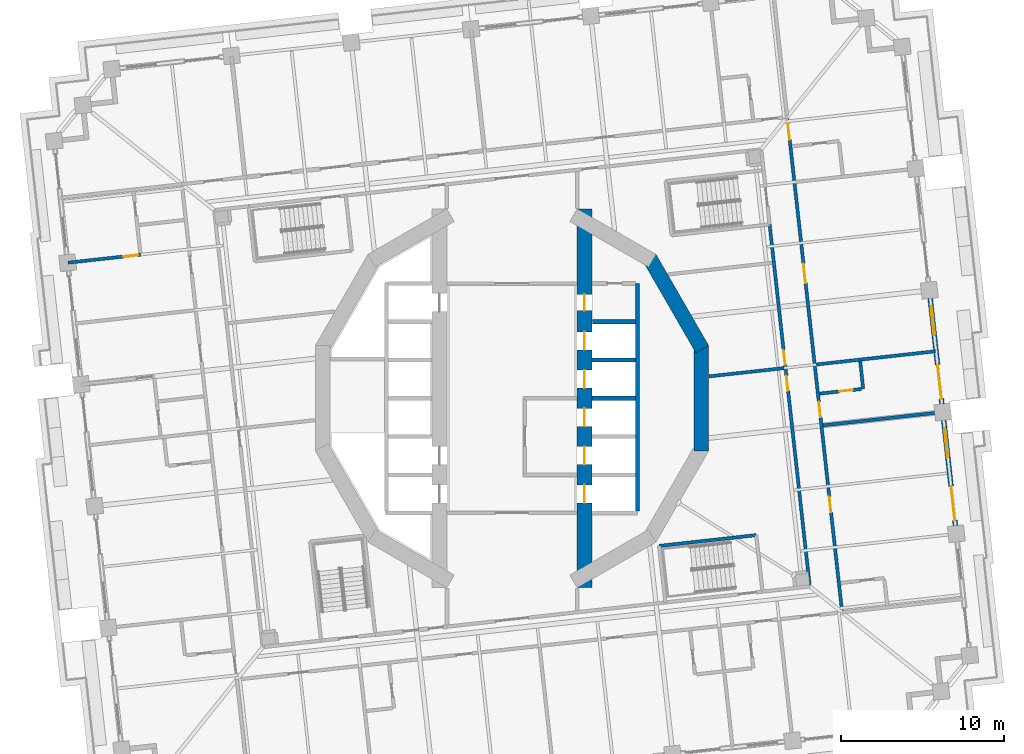
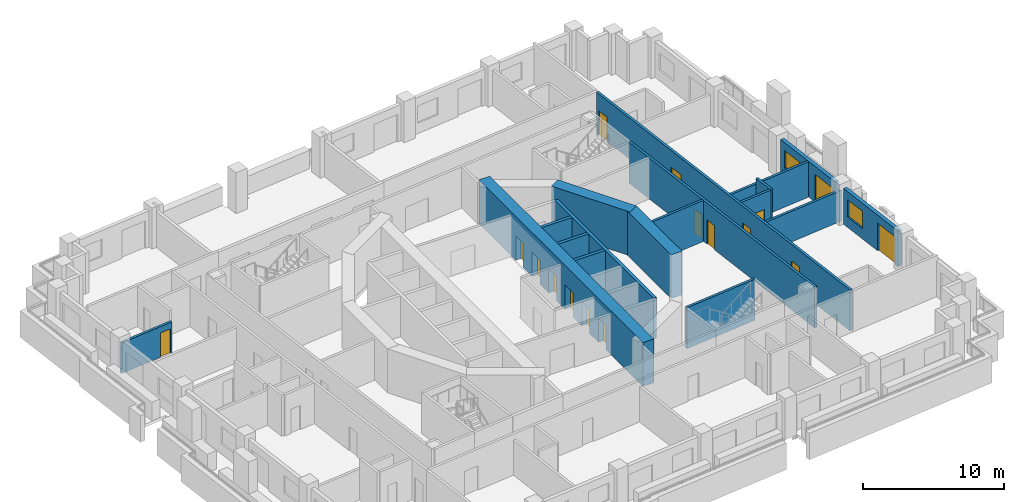
# One storey, part 7 of 19: 18 walls, 16 doors, 2 windows, 18 openings.
"""IFC4 building model written with IfcOpenShell, lengths in metres."""

from ifc_helpers import new_model, si_unit, direction, frame, frame_2d, origin, place, context, subcontext, project, spatial, rectangle, extrude, material, layer, layer_set, type_object, element, fill, save


model = new_model("IFC4")

# Units and contexts
model_context = context("Model", 3, precision=1e-05, world=origin(), true_north=direction((0.0, 1.0)))
body_context = subcontext(model_context, "Body", "Model", "MODEL_VIEW")
ifc_project = project(units=[si_unit("LENGTHUNIT", "METRE"), si_unit("AREAUNIT", "SQUARE_METRE"), si_unit("VOLUMEUNIT", "CUBIC_METRE"), si_unit("PLANEANGLEUNIT", "RADIAN"), si_unit("MASSUNIT", "GRAM", prefix="KILO")], contexts=[model_context])

# Site, building, storey
site_placement = place(None, origin())
site = spatial("IfcSite", under=ifc_project, at=site_placement, CompositionType="ELEMENT")
building_placement = place(site_placement, origin())
building = spatial("IfcBuilding", under=site, at=building_placement, Name="Cantera Rosa Tower", CompositionType="ELEMENT")
storey_placement = place(building_placement, frame((0.0, 0.0, 53.89990234375)))
storey = spatial("IfcBuildingStorey", under=building, at=storey_placement, Name="L10", CompositionType="ELEMENT", Elevation=53.89990234375)

# Wall, openings, doors
ifc_material_1 = material(Name="Gypsum board partition")
ifc_layer_1 = layer(ifc_material_1, 0.199951171875)
ifc_layer_set_1 = layer_set([ifc_layer_1], Name="CORRIDOR WALL 200 H3550")
wall_type_1 = type_object("IfcWallType", Name="CORRIDOR WALL 200 H3550", PredefinedType="PARTITIONING", material=ifc_layer_set_1)
wall_1_placement = place(storey_placement, frame((18.27490234375, -11.453857421875, 0.0), z_axis=(0.0, 0.0, 1.0), x_axis=(-0.110303935969, 0.993897903061, 0.0)))
wall_1 = element("IfcWall", 1, at=wall_1_placement, inside=storey, type_object=wall_type_1, Name="CORRIDOR WALL L10-099", PredefinedType="PARTITIONING", context=body_context, shape_type="SweptSolid", body=[
    extrude(rectangle(XDim=22.26171875, YDim=0.199951171875, at=frame_2d((11.130859375, 0.0))), origin(), (0.0, 0.0, 1.0), 3.550048828125),
])
opening_1_placement = place(wall_1_placement, frame((13.60009765625, 0.0, 0.0)))
opening_1 = element("IfcOpeningElement", 2, at=opening_1_placement, cuts=wall_1, Name="Opening L10-005", PredefinedType="OPENING", context=body_context, shape_type="SweptSolid", body=[
    extrude(rectangle(XDim=0.89990234375, YDim=2.10009765625, at=frame_2d((0.449951171875, 1.050048828125))), frame((0.0, 0.10986328125, 0.0), z_axis=(0.0, -1.0, 0.0), x_axis=(1.0, 0.0, 0.0)), (0.0, 0.0, 1.0), 0.219970703125),
])
opening_2_placement = place(wall_1_placement, frame((12.0048828125, 0.0, 0.0)))
opening_2 = element("IfcOpeningElement", 3, at=opening_2_placement, cuts=wall_1, Name="Opening L10-011", PredefinedType="OPENING", context=body_context, shape_type="SweptSolid", body=[
    extrude(rectangle(XDim=0.89990234375, YDim=2.10009765625, at=frame_2d((0.449951171875, 1.050048828125))), frame((0.0, 0.10986328125, 0.0), z_axis=(0.0, -1.0, 0.0), x_axis=(1.0, 0.0, 0.0)), (0.0, 0.0, 1.0), 0.219970703125),
])
ifc_material_2 = material(Name="Timber door leaf", Category="wood")
door_type_1 = type_object("IfcDoorType", Name="SERVICE DOOR 900x2100", OperationType="NOTDEFINED", PredefinedType="DOOR", material=ifc_material_2)
door_1_placement = place(opening_1_placement, origin())
door_1 = element("IfcDoor", 4, at=door_1_placement, inside=storey, type_object=door_type_1, Name="DOOR L10-005", OperationType="NOTDEFINED", OverallHeight=2.10009765625, OverallWidth=0.89990234375, PredefinedType="DOOR", context=body_context, shape_type="SweptSolid", body=[
    extrude(rectangle(XDim=0.89990234375, YDim=2.10009765625, at=frame_2d((0.449951171875, 1.050048828125))), frame((0.0, 0.02490234375, 0.0), z_axis=(0.0, -1.0, 0.0), x_axis=(1.0, 0.0, 0.0)), (0.0, 0.0, 1.0), 0.050048828125),
])
fill(opening_1, door_1)
door_2_placement = place(opening_2_placement, origin())
door_2 = element("IfcDoor", 5, at=door_2_placement, inside=storey, type_object=door_type_1, Name="DOOR L10-011", OperationType="NOTDEFINED", OverallHeight=2.10009765625, OverallWidth=0.89990234375, PredefinedType="DOOR", context=body_context, shape_type="SweptSolid", body=[
    extrude(rectangle(XDim=0.89990234375, YDim=2.10009765625, at=frame_2d((0.449951171875, 1.050048828125))), frame((0.0, 0.02490234375, 0.0), z_axis=(0.0, -1.0, 0.0), x_axis=(1.0, 0.0, 0.0)), (0.0, 0.0, 1.0), 0.050048828125),
])
fill(opening_2, door_2)

wall_2_placement = place(storey_placement, frame((20.2626953125, -13.04443359375, 0.0), z_axis=(0.0, 0.0, 1.0), x_axis=(-0.110312530755, 0.993896949164, 0.0)))
wall_2 = element("IfcWall", 6, at=wall_2_placement, inside=storey, type_object=wall_type_1, Name="CORRIDOR WALL L10-104", PredefinedType="PARTITIONING", context=body_context, shape_type="SweptSolid", body=[
    extrude(rectangle(XDim=30.400146484375, YDim=0.199951171875, at=frame_2d((15.2001953125, 0.0))), origin(), (0.0, 0.0, 1.0), 3.550048828125),
])
opening_3_placement = place(wall_2_placement, frame((20.239990234375, 0.0, 0.0)))
opening_3 = element("IfcOpeningElement", 7, at=opening_3_placement, cuts=wall_2, Name="Opening L10-018", PredefinedType="OPENING", context=body_context, shape_type="SweptSolid", body=[
    extrude(rectangle(XDim=1.199951171875, YDim=2.10009765625, at=frame_2d((0.60009765625, 1.050048828125))), frame((0.0, 0.10986328125, 0.0), z_axis=(0.0, -1.0, 0.0), x_axis=(1.0, 0.0, 0.0)), (0.0, 0.0, 1.0), 0.219970703125),
])
opening_4_placement = place(wall_2_placement, frame((6.094970703125, 0.0, 0.0)))
opening_4 = element("IfcOpeningElement", 8, at=opening_4_placement, cuts=wall_2, Name="Opening L10-019", PredefinedType="OPENING", context=body_context, shape_type="SweptSolid", body=[
    extrude(rectangle(XDim=0.949951171875, YDim=2.10009765625, at=frame_2d((0.47509765625, 1.050048828125))), frame((0.0, 0.10986328125, 0.0), z_axis=(0.0, -1.0, 0.0), x_axis=(1.0, 0.0, 0.0)), (0.0, 0.0, 1.0), 0.219970703125),
])
opening_5_placement = place(wall_2_placement, frame((11.945068359375, 0.0, 0.0)))
opening_5 = element("IfcOpeningElement", 9, at=opening_5_placement, cuts=wall_2, Name="Opening L10-021", PredefinedType="OPENING", context=body_context, shape_type="SweptSolid", body=[
    extrude(rectangle(XDim=0.949951171875, YDim=2.10009765625, at=frame_2d((0.47509765625, 1.050048828125))), frame((0.0, 0.10986328125, 0.0), z_axis=(0.0, -1.0, 0.0), x_axis=(1.0, 0.0, 0.0)), (0.0, 0.0, 1.0), 0.219970703125),
])
opening_6_placement = place(wall_2_placement, frame((29.090087890625, 0.0, 0.0)))
opening_6 = element("IfcOpeningElement", 10, at=opening_6_placement, cuts=wall_2, Name="Opening L10-023", PredefinedType="OPENING", context=body_context, shape_type="SweptSolid", body=[
    extrude(rectangle(XDim=1.0, YDim=2.10009765625, at=frame_2d((0.5, 1.050048828125))), frame((0.0, 0.10986328125, 0.0), z_axis=(0.0, -1.0, 0.0), x_axis=(1.0, 0.0, 0.0)), (0.0, 0.0, 1.0), 0.219970703125),
])
ifc_material_3 = material(Name="Timber door leaf", Category="wood")
door_type_2 = type_object("IfcDoorType", Name="ENTRANCE DOOR 1000x2100", OperationType="NOTDEFINED", PredefinedType="DOOR", material=ifc_material_3)
door_3_placement = place(opening_6_placement, origin())
door_3 = element("IfcDoor", 11, at=door_3_placement, inside=storey, type_object=door_type_2, Name="DOOR L10-023", OperationType="NOTDEFINED", OverallHeight=2.10009765625, OverallWidth=1.0, PredefinedType="DOOR", context=body_context, shape_type="SweptSolid", body=[
    extrude(rectangle(XDim=1.0, YDim=2.10009765625, at=frame_2d((0.5, 1.050048828125))), frame((0.0, 0.02490234375, 0.0), z_axis=(0.0, -1.0, 0.0), x_axis=(1.0, 0.0, 0.0)), (0.0, 0.0, 1.0), 0.050048828125),
])
fill(opening_6, door_3)
ifc_material_4 = material(Name="Timber door leaf", Category="wood")
door_type_3 = type_object("IfcDoorType", Name="ROOM DOOR 1200x2100", OperationType="NOTDEFINED", PredefinedType="DOOR", material=ifc_material_4)
door_4_placement = place(opening_3_placement, origin())
door_4 = element("IfcDoor", 12, at=door_4_placement, inside=storey, type_object=door_type_3, Name="DOOR L10-018", OperationType="NOTDEFINED", OverallHeight=2.10009765625, OverallWidth=1.199951171875, PredefinedType="DOOR", context=body_context, shape_type="SweptSolid", body=[
    extrude(rectangle(XDim=1.199951171875, YDim=2.10009765625, at=frame_2d((0.60009765625, 1.050048828125))), frame((0.0, 0.02490234375, 0.0), z_axis=(0.0, -1.0, 0.0), x_axis=(1.0, 0.0, 0.0)), (0.0, 0.0, 1.0), 0.050048828125),
])
fill(opening_3, door_4)
ifc_material_5 = material(Name="Timber door leaf", Category="wood")
door_type_4 = type_object("IfcDoorType", Name="ROOM DOOR 950x2100", OperationType="NOTDEFINED", PredefinedType="DOOR", material=ifc_material_5)
door_5_placement = place(opening_4_placement, origin())
door_5 = element("IfcDoor", 13, at=door_5_placement, inside=storey, type_object=door_type_4, Name="DOOR L10-019", OperationType="NOTDEFINED", OverallHeight=2.10009765625, OverallWidth=0.949951171875, PredefinedType="DOOR", context=body_context, shape_type="SweptSolid", body=[
    extrude(rectangle(XDim=0.949951171875, YDim=2.10009765625, at=frame_2d((0.47509765625, 1.050048828125))), frame((0.0, 0.02490234375, 0.0), z_axis=(0.0, -1.0, 0.0), x_axis=(1.0, 0.0, 0.0)), (0.0, 0.0, 1.0), 0.050048828125),
])
fill(opening_4, door_5)
door_6_placement = place(opening_5_placement, origin())
door_6 = element("IfcDoor", 14, at=door_6_placement, inside=storey, type_object=door_type_4, Name="DOOR L10-021", OperationType="NOTDEFINED", OverallHeight=2.10009765625, OverallWidth=0.949951171875, PredefinedType="DOOR", context=body_context, shape_type="SweptSolid", body=[
    extrude(rectangle(XDim=0.949951171875, YDim=2.10009765625, at=frame_2d((0.47509765625, 1.050048828125))), frame((0.0, 0.02490234375, 0.0), z_axis=(0.0, -1.0, 0.0), x_axis=(1.0, 0.0, 0.0)), (0.0, 0.0, 1.0), 0.050048828125),
])
fill(opening_5, door_6)

# Wall, openings, window, door
ifc_material_6 = material(Name="Hollow clay masonry with cantera stone cladding", Category="masonry")
ifc_layer_2 = layer(ifc_material_6, 0.300048828125)
ifc_layer_set_2 = layer_set([ifc_layer_2], Name="EW-LOGGIA 300 H3090")
wall_type_2 = type_object("IfcWallType", Name="EW-LOGGIA 300 H3090", PredefinedType="SOLIDWALL", material=ifc_layer_set_2)
wall_3_placement = place(storey_placement, frame((27.229248046875, -7.823974609375, 0.0), z_axis=(0.0, 0.0, 1.0), x_axis=(-0.110312341265, 0.993896970196, 0.0)))
wall_3 = element("IfcWall", 15, at=wall_3_placement, inside=storey, type_object=wall_type_2, Name="EN-L10-W02", PredefinedType="SOLIDWALL", context=body_context, shape_type="SweptSolid", body=[
    extrude(rectangle(XDim=6.52001953125, YDim=0.300048828125, at=frame_2d((3.260009765625, 0.0))), origin(), (0.0, 0.0, 1.0), 3.090087890625),
])
opening_7_placement = place(wall_3_placement, frame((0.330078125, 0.0, 0.0)))
opening_7 = element("IfcOpeningElement", 16, at=opening_7_placement, cuts=wall_3, Name="Opening L10-TD03", PredefinedType="OPENING", context=body_context, shape_type="SweptSolid", body=[
    extrude(rectangle(XDim=2.10009765625, YDim=2.39990234375, at=frame_2d((1.050048828125, 1.199951171875))), frame((0.0, 0.159912109375, 0.0), z_axis=(0.0, -1.0, 0.0), x_axis=(1.0, 0.0, 0.0)), (0.0, 0.0, 1.0), 0.320068359375),
])
opening_8_placement = place(wall_3_placement, frame((4.239990234375, 0.0, 0.89990234375)))
opening_8 = element("IfcOpeningElement", 17, at=opening_8_placement, cuts=wall_3, Name="Opening L10-W04", PredefinedType="OPENING", context=body_context, shape_type="SweptSolid", body=[
    extrude(rectangle(XDim=1.800048828125, YDim=1.5, at=frame_2d((0.89990234375, 0.75))), frame((0.0, 0.159912109375, 0.0), z_axis=(0.0, -1.0, 0.0), x_axis=(1.0, 0.0, 0.0)), (0.0, 0.0, 1.0), 0.320068359375),
])
ifc_material_7 = material(Name="Aluminium frame with clear glass", Category="aluminium")
window_type = type_object("IfcWindowType", Name="Hotel room window 1800x1500", PartitioningType="DOUBLE_PANEL_VERTICAL", PredefinedType="WINDOW", material=ifc_material_7)
window_1_placement = place(opening_8_placement, origin())
window_1 = element("IfcWindow", 18, at=window_1_placement, inside=storey, type_object=window_type, Name="WINDOW L10-W04", OverallHeight=1.5, OverallWidth=1.800048828125, PartitioningType="SINGLE_PANEL", PredefinedType="WINDOW", context=body_context, shape_type="SweptSolid", body=[
    extrude(rectangle(XDim=1.800048828125, YDim=1.5, at=frame_2d((0.89990234375, 0.75))), frame((0.0, 0.030029296875, 0.0), z_axis=(0.0, -1.0, 0.0), x_axis=(1.0, 0.0, 0.0)), (0.0, 0.0, 1.0), 0.06005859375),
])
fill(opening_8, window_1)
ifc_material_8 = material(Name="Aluminium frame with clear glass", Category="aluminium")
door_type_5 = type_object("IfcDoorType", Name="TD-H 2100x2400", OperationType="NOTDEFINED", PredefinedType="DOOR", material=ifc_material_8)
door_7_placement = place(opening_7_placement, origin())
door_7 = element("IfcDoor", 19, at=door_7_placement, inside=storey, type_object=door_type_5, Name="LOGGIA DOOR L10-TD03", OperationType="SLIDING_TO_LEFT", OverallHeight=2.39990234375, OverallWidth=2.10009765625, PredefinedType="DOOR", context=body_context, shape_type="SweptSolid", body=[
    extrude(rectangle(XDim=2.10009765625, YDim=2.39990234375, at=frame_2d((1.050048828125, 1.199951171875))), frame((0.0, 0.02490234375, 0.0), z_axis=(0.0, -1.0, 0.0), x_axis=(1.0, 0.0, 0.0)), (0.0, 0.0, 1.0), 0.050048828125),
])
fill(opening_7, door_7)

wall_4_placement = place(storey_placement, frame((26.399658203125, -0.349853515625, 0.0), z_axis=(0.0, 0.0, 1.0), x_axis=(-0.110312341265, 0.993896970196, 0.0)))
wall_4 = element("IfcWall", 20, at=wall_4_placement, inside=storey, type_object=wall_type_2, Name="EN-L10-W03", PredefinedType="SOLIDWALL", context=body_context, shape_type="SweptSolid", body=[
    extrude(rectangle(XDim=6.52001953125, YDim=0.300048828125, at=frame_2d((3.260009765625, 0.0))), origin(), (0.0, 0.0, 1.0), 3.090087890625),
])
opening_9_placement = place(wall_4_placement, frame((0.330078125, 0.0, 0.0)))
opening_9 = element("IfcOpeningElement", 21, at=opening_9_placement, cuts=wall_4, Name="Opening L10-TD05", PredefinedType="OPENING", context=body_context, shape_type="SweptSolid", body=[
    extrude(rectangle(XDim=2.10009765625, YDim=2.39990234375, at=frame_2d((1.050048828125, 1.199951171875))), frame((0.0, 0.159912109375, 0.0), z_axis=(0.0, -1.0, 0.0), x_axis=(1.0, 0.0, 0.0)), (0.0, 0.0, 1.0), 0.320068359375),
])
opening_10_placement = place(wall_4_placement, frame((4.239990234375, 0.0, 0.89990234375)))
opening_10 = element("IfcOpeningElement", 22, at=opening_10_placement, cuts=wall_4, Name="Opening L10-W06", PredefinedType="OPENING", context=body_context, shape_type="SweptSolid", body=[
    extrude(rectangle(XDim=1.800048828125, YDim=1.5, at=frame_2d((0.89990234375, 0.75))), frame((0.0, 0.159912109375, 0.0), z_axis=(0.0, -1.0, 0.0), x_axis=(1.0, 0.0, 0.0)), (0.0, 0.0, 1.0), 0.320068359375),
])
window_2_placement = place(opening_10_placement, origin())
window_2 = element("IfcWindow", 23, at=window_2_placement, inside=storey, type_object=window_type, Name="WINDOW L10-W06", OverallHeight=1.5, OverallWidth=1.800048828125, PartitioningType="SINGLE_PANEL", PredefinedType="WINDOW", context=body_context, shape_type="SweptSolid", body=[
    extrude(rectangle(XDim=1.800048828125, YDim=1.5, at=frame_2d((0.89990234375, 0.75))), frame((0.0, 0.030029296875, 0.0), z_axis=(0.0, -1.0, 0.0), x_axis=(1.0, 0.0, 0.0)), (0.0, 0.0, 1.0), 0.06005859375),
])
fill(opening_10, window_2)
door_8_placement = place(opening_9_placement, origin())
door_8 = element("IfcDoor", 24, at=door_8_placement, inside=storey, type_object=door_type_5, Name="LOGGIA DOOR L10-TD05", OperationType="SLIDING_TO_LEFT", OverallHeight=2.39990234375, OverallWidth=2.10009765625, PredefinedType="DOOR", context=body_context, shape_type="SweptSolid", body=[
    extrude(rectangle(XDim=2.10009765625, YDim=2.39990234375, at=frame_2d((1.050048828125, 1.199951171875))), frame((0.0, 0.02490234375, 0.0), z_axis=(0.0, -1.0, 0.0), x_axis=(1.0, 0.0, 0.0)), (0.0, 0.0, 1.0), 0.050048828125),
])
fill(opening_9, door_8)

# Wall, opening, door
ifc_material_9 = material(Name="Gypsum board partition")
ifc_layer_3 = layer(ifc_material_9, 0.199951171875)
ifc_layer_set_3 = layer_set([ifc_layer_3], Name="PARTITION 200 H2650")
wall_type_3 = type_object("IfcWallType", Name="PARTITION 200 H2650", PredefinedType="PARTITIONING", material=ifc_layer_set_3)
wall_5_placement = place(storey_placement, frame((-22.81201171875, 8.8173828125, 0.0), z_axis=(0.0, 0.0, 1.0), x_axis=(-0.993895052822, -0.11032961514, 0.0)))
wall_5 = element("IfcWall", 25, at=wall_5_placement, inside=storey, type_object=wall_type_3, Name="PARTITION L10-003", PredefinedType="PARTITIONING", context=body_context, shape_type="SweptSolid", body=[
    extrude(rectangle(XDim=4.469970703125, YDim=0.199951171875, at=frame_2d((2.23486328125, 0.0))), origin(), (0.0, 0.0, 1.0), 2.650146484375),
])
opening_11_placement = place(wall_5_placement, frame((0.14990234375, 0.0, 0.0)))
opening_11 = element("IfcOpeningElement", 26, at=opening_11_placement, cuts=wall_5, Name="Opening L10-030", PredefinedType="OPENING", context=body_context, shape_type="SweptSolid", body=[
    extrude(rectangle(XDim=0.89990234375, YDim=2.10009765625, at=frame_2d((0.449951171875, 1.050048828125))), frame((0.0, 0.10986328125, 0.0), z_axis=(0.0, -1.0, 0.0), x_axis=(1.0, 0.0, 0.0)), (0.0, 0.0, 1.0), 0.219970703125),
])
ifc_material_10 = material(Name="Timber door leaf", Category="wood")
door_type_6 = type_object("IfcDoorType", Name="ROOM DOOR 900x2100", OperationType="NOTDEFINED", PredefinedType="DOOR", material=ifc_material_10)
door_9_placement = place(opening_11_placement, origin())
door_9 = element("IfcDoor", 27, at=door_9_placement, inside=storey, type_object=door_type_6, Name="DOOR L10-030", OperationType="NOTDEFINED", OverallHeight=2.10009765625, OverallWidth=0.89990234375, PredefinedType="DOOR", context=body_context, shape_type="SweptSolid", body=[
    extrude(rectangle(XDim=0.89990234375, YDim=2.10009765625, at=frame_2d((0.449951171875, 1.050048828125))), frame((0.0, 0.02490234375, 0.0), z_axis=(0.0, -1.0, 0.0), x_axis=(1.0, 0.0, 0.0)), (0.0, 0.0, 1.0), 0.050048828125),
])
fill(opening_11, door_9)

# Walls
ifc_material_11 = material(Name="Gypsum board partition")
ifc_layer_4 = layer(ifc_material_11, 0.199951171875)
ifc_layer_set_4 = layer_set([ifc_layer_4], Name="PARTITION 200 H3550")
wall_type_4 = type_object("IfcWallType", Name="PARTITION 200 H3550", PredefinedType="PARTITIONING", material=ifc_layer_set_4)
wall_6_placement = place(storey_placement, frame((16.697509765625, 1.853271484375, 0.0), z_axis=(0.0, 0.0, 1.0), x_axis=(-0.993898542439, -0.11029817468, 0.0)))
element("IfcWall", 28, at=wall_6_placement, inside=storey, type_object=wall_type_4, Name="PARTITION L10-091", PredefinedType="PARTITIONING", context=body_context, shape_type="SweptSolid", body=[
    extrude(rectangle(XDim=4.621826171875, YDim=0.199951171875, at=frame_2d((2.31103515625, 0.0))), origin(), (0.0, 0.0, 1.0), 3.550048828125),
])
wall_7_placement = place(storey_placement, frame((21.3798828125, 2.272216796875, 0.0), z_axis=(0.0, 0.0, 1.0), x_axis=(0.110305413813, -0.993897739047, 0.0)))
element("IfcWall", 29, at=wall_7_placement, inside=storey, type_object=wall_type_4, Name="PARTITION L10-105", PredefinedType="PARTITIONING", context=body_context, shape_type="SweptSolid", body=[
    extrude(rectangle(XDim=1.69970703125, YDim=0.199951171875, at=frame_2d((0.849853515625, 0.0))), origin(), (0.0, 0.0, 1.0), 3.550048828125),
])

# Wall, opening, door
wall_8_placement = place(storey_placement, frame((21.468017578125, 0.57177734375, 0.0), z_axis=(0.0, 0.0, 1.0), x_axis=(-0.993895180132, -0.110328468272, 0.0)))
wall_8 = element("IfcWall", 30, at=wall_8_placement, inside=storey, type_object=wall_type_4, Name="PARTITION L10-106", PredefinedType="PARTITIONING", context=body_context, shape_type="SweptSolid", body=[
    extrude(rectangle(XDim=2.60009765625, YDim=0.199951171875, at=frame_2d((1.300048828125, 0.0))), origin(), (0.0, 0.0, 1.0), 3.550048828125),
])
opening_12_placement = place(wall_8_placement, frame((0.56396484375, 0.0, 0.0)))
opening_12 = element("IfcOpeningElement", 31, at=opening_12_placement, cuts=wall_8, Name="Opening L10-022", PredefinedType="OPENING", context=body_context, shape_type="SweptSolid", body=[
    extrude(rectangle(XDim=0.800048828125, YDim=2.10009765625, at=frame_2d((0.39990234375, 1.050048828125))), frame((0.0, 0.10986328125, 0.0), z_axis=(0.0, -1.0, 0.0), x_axis=(1.0, 0.0, 0.0)), (0.0, 0.0, 1.0), 0.219970703125),
])
ifc_material_12 = material(Name="Timber door leaf", Category="wood")
door_type_7 = type_object("IfcDoorType", Name="BATHROOM DOOR 800x2100", OperationType="NOTDEFINED", PredefinedType="DOOR", material=ifc_material_12)
door_10_placement = place(opening_12_placement, origin())
door_10 = element("IfcDoor", 32, at=door_10_placement, inside=storey, type_object=door_type_7, Name="DOOR L10-022", OperationType="NOTDEFINED", OverallHeight=2.10009765625, OverallWidth=0.800048828125, PredefinedType="DOOR", context=body_context, shape_type="SweptSolid", body=[
    extrude(rectangle(XDim=0.800048828125, YDim=2.10009765625, at=frame_2d((0.39990234375, 1.050048828125))), frame((0.0, 0.02490234375, 0.0), z_axis=(0.0, -1.0, 0.0), x_axis=(1.0, 0.0, 0.0)), (0.0, 0.0, 1.0), 0.050048828125),
])
fill(opening_12, door_10)

# Walls
ifc_material_13 = material(Name="Gypsum board partition")
ifc_layer_5 = layer(ifc_material_13, 0.199951171875)
ifc_layer_set_5 = layer_set([ifc_layer_5], Name="PARTY WALL 200 H2650")
wall_type_5 = type_object("IfcWallType", Name="PARTY WALL 200 H2650", PredefinedType="PARTITIONING", material=ifc_layer_set_5)
wall_9_placement = place(storey_placement, frame((19.10009765625, -1.6630859375, 0.0), z_axis=(0.0, 0.0, 1.0), x_axis=(0.993897058864, 0.11031154238, 0.0)))
element("IfcWall", 33, at=wall_9_placement, inside=storey, type_object=wall_type_5, Name="PARTY WALL L10-101", PredefinedType="PARTITIONING", context=body_context, shape_type="SweptSolid", body=[
    extrude(rectangle(XDim=7.369873046875, YDim=0.199951171875, at=frame_2d((3.68505859375, 0.0))), origin(), (0.0, 0.0, 1.0), 2.650146484375),
])
ifc_material_14 = material(Name="Gypsum board partition")
ifc_layer_6 = layer(ifc_material_14, 0.199951171875)
ifc_layer_set_6 = layer_set([ifc_layer_6], Name="PARTY WALL 200 H3050")
wall_type_6 = type_object("IfcWallType", Name="PARTY WALL 200 H3050", PredefinedType="PARTITIONING", material=ifc_layer_set_6)
wall_10_placement = place(storey_placement, frame((18.685302734375, 2.073974609375, 0.0), z_axis=(0.0, 0.0, 1.0), x_axis=(0.993897058864, 0.11031154238, 0.0)))
element("IfcWall", 34, at=wall_10_placement, inside=storey, type_object=wall_type_6, Name="PARTY WALL L10-100", PredefinedType="PARTITIONING", context=body_context, shape_type="SweptSolid", body=[
    extrude(rectangle(XDim=7.369873046875, YDim=0.199951171875, at=frame_2d((3.68505859375, 0.0))), origin(), (0.0, 0.0, 1.0), 3.050048828125),
])
ifc_material_15 = material(Name="Concrete C70/85", Category="concrete")
ifc_layer_7 = layer(ifc_material_15, 0.89990234375)
ifc_layer_set_7 = layer_set([ifc_layer_7], Name="RC CORE WALL 900 C70/85")
wall_type_7 = type_object("IfcWallType", Name="RC CORE WALL 900 C70/85", PredefinedType="SHEAR", material=ifc_layer_set_7)
wall_11_placement = place(storey_placement, frame((8.44921875, 8.61376953125, 0.0), z_axis=(0.0, 0.0, 1.0), x_axis=(0.499990282633, -0.866031014036, 0.0)))
element("IfcWall", 35, at=wall_11_placement, inside=storey, type_object=wall_type_7, Name="CW-E2 L10", PredefinedType="SHEAR", context=body_context, shape_type="SweptSolid", body=[
    extrude(rectangle(XDim=6.470458984375, YDim=0.89990234375, at=frame_2d((3.2353515625, 0.0))), origin(), (0.0, 0.0, 1.0), 3.800048828125),
])
wall_12_placement = place(storey_placement, frame((11.6240234375, 3.2353515625, 0.0), z_axis=(0.0, 0.0, 1.0), x_axis=(0.0, -1.0, 0.0)))
element("IfcWall", 36, at=wall_12_placement, inside=storey, type_object=wall_type_7, Name="CW-E3 L10", PredefinedType="SHEAR", context=body_context, shape_type="SweptSolid", body=[
    extrude(rectangle(XDim=6.470703125, YDim=0.89990234375, at=frame_2d((3.2353515625, 0.0))), origin(), (0.0, 0.0, 1.0), 3.800048828125),
])

# Wall, openings, doors
wall_13_placement = place(storey_placement, frame((4.449951171875, -11.632568359375, 0.0), z_axis=(0.0, 0.0, 1.0), x_axis=(0.0, 1.0, 0.0)))
wall_13 = element("IfcWall", 37, at=wall_13_placement, inside=storey, type_object=wall_type_7, Name="CW-E6 L10", PredefinedType="SHEAR", context=body_context, shape_type="SweptSolid", body=[
    extrude(rectangle(XDim=23.26513671875, YDim=0.89990234375, at=frame_2d((11.632568359375, 0.0))), origin(), (0.0, 0.0, 1.0), 3.800048828125),
])
opening_13_placement = place(wall_13_placement, frame((7.5576171875, 0.0, 0.0)))
opening_13 = element("IfcOpeningElement", 38, at=opening_13_placement, cuts=wall_13, Name="Opening LD-FF1-L10", PredefinedType="OPENING", context=body_context, shape_type="SweptSolid", body=[
    extrude(rectangle(XDim=1.10009765625, YDim=2.10009765625, at=frame_2d((0.550048828125, 1.050048828125))), frame((0.0, 0.4599609375, 0.0), z_axis=(0.0, -1.0, 0.0), x_axis=(1.0, 0.0, 0.0)), (0.0, 0.0, 1.0), 0.919921875),
])
opening_14_placement = place(wall_13_placement, frame((9.907470703125, 0.0, 0.0)))
opening_14 = element("IfcOpeningElement", 39, at=opening_14_placement, cuts=wall_13, Name="Opening LD-FF2-L10", PredefinedType="OPENING", context=body_context, shape_type="SweptSolid", body=[
    extrude(rectangle(XDim=1.10009765625, YDim=2.10009765625, at=frame_2d((0.550048828125, 1.050048828125))), frame((0.0, 0.4599609375, 0.0), z_axis=(0.0, -1.0, 0.0), x_axis=(1.0, 0.0, 0.0)), (0.0, 0.0, 1.0), 0.919921875),
])
opening_15_placement = place(wall_13_placement, frame((12.257568359375, 0.0, 0.0)))
opening_15 = element("IfcOpeningElement", 40, at=opening_15_placement, cuts=wall_13, Name="Opening LD-P1-L10", PredefinedType="OPENING", context=body_context, shape_type="SweptSolid", body=[
    extrude(rectangle(XDim=1.10009765625, YDim=2.10009765625, at=frame_2d((0.550048828125, 1.050048828125))), frame((0.0, 0.4599609375, 0.0), z_axis=(0.0, -1.0, 0.0), x_axis=(1.0, 0.0, 0.0)), (0.0, 0.0, 1.0), 0.919921875),
])
opening_16_placement = place(wall_13_placement, frame((14.607421875, 0.0, 0.0)))
opening_16 = element("IfcOpeningElement", 41, at=opening_16_placement, cuts=wall_13, Name="Opening LD-P2-L10", PredefinedType="OPENING", context=body_context, shape_type="SweptSolid", body=[
    extrude(rectangle(XDim=1.10009765625, YDim=2.10009765625, at=frame_2d((0.550048828125, 1.050048828125))), frame((0.0, 0.4599609375, 0.0), z_axis=(0.0, -1.0, 0.0), x_axis=(1.0, 0.0, 0.0)), (0.0, 0.0, 1.0), 0.919921875),
])
opening_17_placement = place(wall_13_placement, frame((5.20751953125, 0.0, 0.0)))
opening_17 = element("IfcOpeningElement", 42, at=opening_17_placement, cuts=wall_13, Name="Opening LD-P6-L10", PredefinedType="OPENING", context=body_context, shape_type="SweptSolid", body=[
    extrude(rectangle(XDim=1.10009765625, YDim=2.10009765625, at=frame_2d((0.550048828125, 1.050048828125))), frame((0.0, 0.4599609375, 0.0), z_axis=(0.0, -1.0, 0.0), x_axis=(1.0, 0.0, 0.0)), (0.0, 0.0, 1.0), 0.919921875),
])
opening_18_placement = place(wall_13_placement, frame((17.007568359375, 0.0, 0.0)))
opening_18 = element("IfcOpeningElement", 43, at=opening_18_placement, cuts=wall_13, Name="Opening SD-L10-17", PredefinedType="OPENING", context=body_context, shape_type="SweptSolid", body=[
    extrude(rectangle(XDim=1.0, YDim=2.10009765625, at=frame_2d((0.5, 1.050048828125))), frame((0.0, 0.4599609375, 0.0), z_axis=(0.0, -1.0, 0.0), x_axis=(1.0, 0.0, 0.0)), (0.0, 0.0, 1.0), 0.919921875),
])
ifc_material_16 = material(Name="Steel S355J2 (EN 10025-2)", Category="steel")
door_type_8 = type_object("IfcDoorType", Name="LANDING DOOR 1100x2100", OperationType="NOTDEFINED", PredefinedType="DOOR", material=ifc_material_16)
door_11_placement = place(opening_13_placement, origin())
door_11 = element("IfcDoor", 44, at=door_11_placement, inside=storey, type_object=door_type_8, Name="LANDING DOOR FF1 L10", OperationType="SLIDING_TO_LEFT", OverallHeight=2.10009765625, OverallWidth=1.10009765625, PredefinedType="DOOR", context=body_context, shape_type="SweptSolid", body=[
    extrude(rectangle(XDim=1.10009765625, YDim=2.10009765625, at=frame_2d((0.550048828125, 1.050048828125))), frame((0.0, 0.02490234375, 0.0), z_axis=(0.0, -1.0, 0.0), x_axis=(1.0, 0.0, 0.0)), (0.0, 0.0, 1.0), 0.050048828125),
])
fill(opening_13, door_11)
door_12_placement = place(opening_14_placement, origin())
door_12 = element("IfcDoor", 45, at=door_12_placement, inside=storey, type_object=door_type_8, Name="LANDING DOOR FF2 L10", OperationType="SLIDING_TO_LEFT", OverallHeight=2.10009765625, OverallWidth=1.10009765625, PredefinedType="DOOR", context=body_context, shape_type="SweptSolid", body=[
    extrude(rectangle(XDim=1.10009765625, YDim=2.10009765625, at=frame_2d((0.550048828125, 1.050048828125))), frame((0.0, 0.02490234375, 0.0), z_axis=(0.0, -1.0, 0.0), x_axis=(1.0, 0.0, 0.0)), (0.0, 0.0, 1.0), 0.050048828125),
])
fill(opening_14, door_12)
door_13_placement = place(opening_15_placement, origin())
door_13 = element("IfcDoor", 46, at=door_13_placement, inside=storey, type_object=door_type_8, Name="LANDING DOOR P1 L10", OperationType="SLIDING_TO_LEFT", OverallHeight=2.10009765625, OverallWidth=1.10009765625, PredefinedType="DOOR", context=body_context, shape_type="SweptSolid", body=[
    extrude(rectangle(XDim=1.10009765625, YDim=2.10009765625, at=frame_2d((0.550048828125, 1.050048828125))), frame((0.0, 0.02490234375, 0.0), z_axis=(0.0, -1.0, 0.0), x_axis=(1.0, 0.0, 0.0)), (0.0, 0.0, 1.0), 0.050048828125),
])
fill(opening_15, door_13)
door_14_placement = place(opening_16_placement, origin())
door_14 = element("IfcDoor", 47, at=door_14_placement, inside=storey, type_object=door_type_8, Name="LANDING DOOR P2 L10", OperationType="SLIDING_TO_LEFT", OverallHeight=2.10009765625, OverallWidth=1.10009765625, PredefinedType="DOOR", context=body_context, shape_type="SweptSolid", body=[
    extrude(rectangle(XDim=1.10009765625, YDim=2.10009765625, at=frame_2d((0.550048828125, 1.050048828125))), frame((0.0, 0.02490234375, 0.0), z_axis=(0.0, -1.0, 0.0), x_axis=(1.0, 0.0, 0.0)), (0.0, 0.0, 1.0), 0.050048828125),
])
fill(opening_16, door_14)
door_15_placement = place(opening_17_placement, origin())
door_15 = element("IfcDoor", 48, at=door_15_placement, inside=storey, type_object=door_type_8, Name="LANDING DOOR P6 L10", OperationType="SLIDING_TO_LEFT", OverallHeight=2.10009765625, OverallWidth=1.10009765625, PredefinedType="DOOR", context=body_context, shape_type="SweptSolid", body=[
    extrude(rectangle(XDim=1.10009765625, YDim=2.10009765625, at=frame_2d((0.550048828125, 1.050048828125))), frame((0.0, 0.02490234375, 0.0), z_axis=(0.0, -1.0, 0.0), x_axis=(1.0, 0.0, 0.0)), (0.0, 0.0, 1.0), 0.050048828125),
])
fill(opening_17, door_15)
ifc_material_17 = material(Name="Timber door leaf", Category="wood")
door_type_9 = type_object("IfcDoorType", Name="SERVICE DOOR 1000x2100", OperationType="NOTDEFINED", PredefinedType="DOOR", material=ifc_material_17)
door_16_placement = place(opening_18_placement, origin())
door_16 = element("IfcDoor", 49, at=door_16_placement, inside=storey, type_object=door_type_9, Name="DOOR L10-SD17", OperationType="NOTDEFINED", OverallHeight=2.10009765625, OverallWidth=1.0, PredefinedType="DOOR", context=body_context, shape_type="SweptSolid", body=[
    extrude(rectangle(XDim=1.0, YDim=2.10009765625, at=frame_2d((0.5, 1.050048828125))), frame((0.0, 0.02490234375, 0.0), z_axis=(0.0, -1.0, 0.0), x_axis=(1.0, 0.0, 0.0)), (0.0, 0.0, 1.0), 0.050048828125),
])
fill(opening_18, door_16)

# Walls
ifc_material_18 = material(Name="Masonry blockwork", Category="masonry")
ifc_layer_8 = layer(ifc_material_18, 0.25)
ifc_layer_set_8 = layer_set([ifc_layer_8], Name="SHAFT WALL 250 H3550")
wall_type_8 = type_object("IfcWallType", Name="SHAFT WALL 250 H3550", PredefinedType="SOLIDWALL", material=ifc_layer_set_8)
wall_14_placement = place(storey_placement, frame((4.89990234375, 0.0, 0.0), z_axis=(0.0, 0.0, 1.0), x_axis=(1.0, 0.0, 0.0)))
element("IfcWall", 50, at=wall_14_placement, inside=storey, type_object=wall_type_8, Name="SHAFT WALL L10-062", PredefinedType="SOLIDWALL", context=body_context, shape_type="SweptSolid", body=[
    extrude(rectangle(XDim=2.675048828125, YDim=0.25, at=frame_2d((1.33740234375, 0.0))), origin(), (0.0, 0.0, 1.0), 3.550048828125),
])
wall_15_placement = place(storey_placement, frame((7.699951171875, -6.929931640625, 0.0), z_axis=(0.0, 0.0, 1.0), x_axis=(0.0, 1.0, 0.0)))
element("IfcWall", 51, at=wall_15_placement, inside=storey, type_object=wall_type_8, Name="SHAFT WALL L10-064", PredefinedType="SOLIDWALL", context=body_context, shape_type="SweptSolid", body=[
    extrude(rectangle(XDim=13.97998046875, YDim=0.25, at=frame_2d((6.989990234375, 0.0))), origin(), (0.0, 0.0, 1.0), 3.550048828125),
])
wall_16_placement = place(storey_placement, frame((7.574951171875, 2.35009765625, 0.0), z_axis=(0.0, 0.0, 1.0), x_axis=(-1.0, 0.0, 0.0)))
element("IfcWall", 52, at=wall_16_placement, inside=storey, type_object=wall_type_8, Name="SHAFT WALL L10-066", PredefinedType="SOLIDWALL", context=body_context, shape_type="SweptSolid", body=[
    extrude(rectangle(XDim=2.675048828125, YDim=0.25, at=frame_2d((1.33740234375, 0.0))), origin(), (0.0, 0.0, 1.0), 3.550048828125),
])
wall_17_placement = place(storey_placement, frame((7.574951171875, 4.699951171875, 0.0), z_axis=(0.0, 0.0, 1.0), x_axis=(-1.0, 0.0, 0.0)))
element("IfcWall", 53, at=wall_17_placement, inside=storey, type_object=wall_type_8, Name="SHAFT WALL L10-067", PredefinedType="SOLIDWALL", context=body_context, shape_type="SweptSolid", body=[
    extrude(rectangle(XDim=2.64501953125, YDim=0.25, at=frame_2d((1.322509765625, 0.0))), origin(), (0.0, 0.0, 1.0), 3.550048828125),
])
ifc_material_19 = material(Name="Concrete C50/60", Category="concrete")
ifc_layer_9 = layer(ifc_material_19, 0.199951171875)
ifc_layer_set_9 = layer_set([ifc_layer_9], Name="STAIR WALL 200 H3550")
wall_type_9 = type_object("IfcWallType", Name="STAIR WALL 200 H3550", PredefinedType="SOLIDWALL", material=ifc_layer_set_9)
wall_18_placement = place(storey_placement, frame((14.996826171875, -8.404296875, 0.0), z_axis=(0.0, 0.0, 1.0), x_axis=(-0.993897125329, -0.110310943534, 0.0)))
element("IfcWall", 54, at=wall_18_placement, inside=storey, type_object=wall_type_9, Name="STAIR WALL L10-083", PredefinedType="SOLIDWALL", context=body_context, shape_type="SweptSolid", body=[
    extrude(rectangle(XDim=6.0, YDim=0.199951171875, at=frame_2d((3.0, 0.0))), origin(), (0.0, 0.0, 1.0), 3.550048828125),
])

save(model, "model.ifc")
